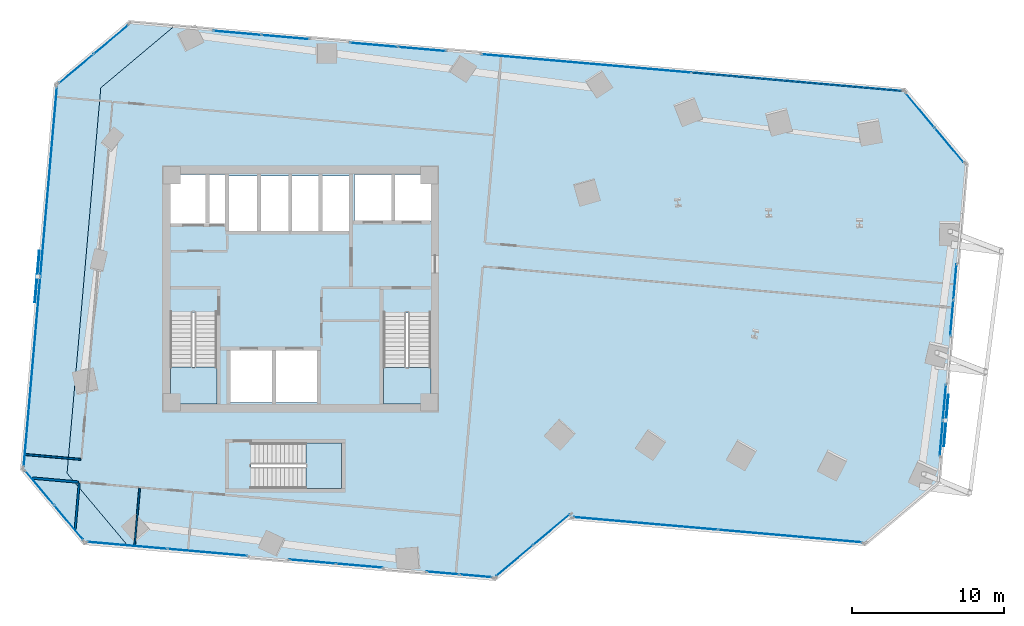
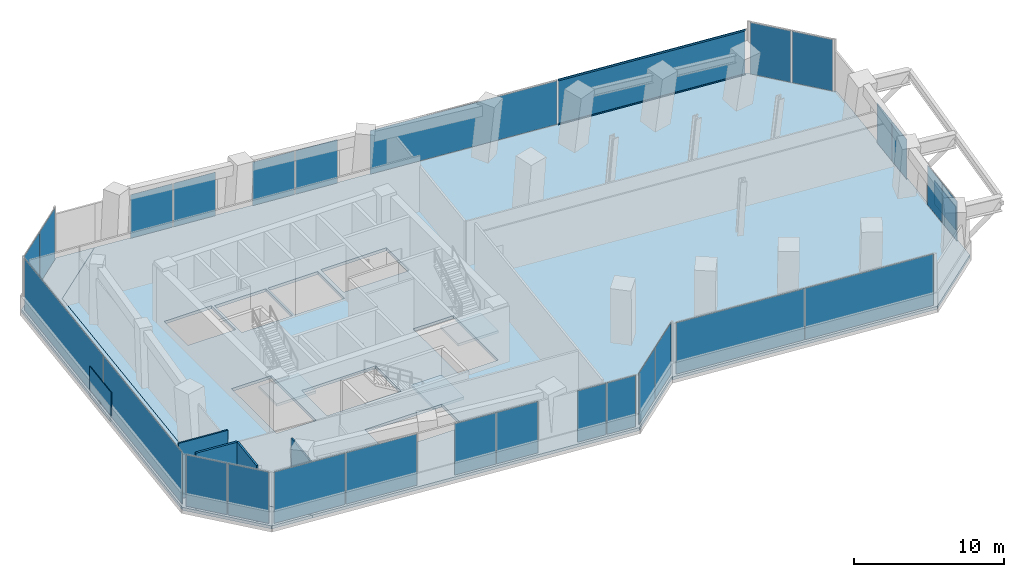
# One storey, part 18 of 23: 30 plates, 5 slabs, 4 walls, 2 members, 17 elements without a shape of their own.
"""IFC4 building model written with IfcOpenShell, lengths in metres."""

from ifc_helpers import new_model, si_unit, direction, frame, frame_2d, origin, origin_2d, place, context, subcontext, project, spatial, polyline, rectangle, hollow_rectangle, outline, extrude, source, transform, mapped, material, layer, layer_set, material_profile, profile_set, type_object, element, aggregate, save


model = new_model("IFC4")

# Units and contexts
model_context = context("Model", 3, precision=1e-05, world=origin(), true_north=direction((0.0, 1.0)))
body_context = subcontext(model_context, "Body", "Model", "MODEL_VIEW")
ifc_project = project(units=[si_unit("LENGTHUNIT", "METRE"), si_unit("AREAUNIT", "SQUARE_METRE"), si_unit("VOLUMEUNIT", "CUBIC_METRE"), si_unit("PLANEANGLEUNIT", "RADIAN"), si_unit("MASSUNIT", "GRAM", prefix="KILO")], contexts=[model_context])

# Site, building, storey
site_placement = place(None, origin())
site = spatial("IfcSite", under=ifc_project, at=site_placement, CompositionType="ELEMENT")
building_placement = place(site_placement, origin())
building = spatial("IfcBuilding", under=site, at=building_placement, Name="Torre Montelarca", CompositionType="ELEMENT")
storey_placement = place(building_placement, frame((0.0, 0.0, 56.800048828125)))
storey = spatial("IfcBuildingStorey", under=building, at=storey_placement, Name="L12", CompositionType="ELEMENT", Elevation=56.800048828125)

# Curtain wall, members
ifc_material_1 = material(Name="Insulated low-E laminated glass", Category="glass")
curtain_wall_type = type_object("IfcCurtainWallType", Name="CW-SYS-Z1", PredefinedType="USERDEFINED", material=ifc_material_1)
curtain_wall_1_placement = place(storey_placement, origin())
curtain_wall_1 = element("IfcCurtainWall", 1, at=curtain_wall_1_placement, inside=storey, type_object=curtain_wall_type, Name="L12 Curtain Wall Run CW-T3-L12-E08-B1", ObjectType="UNITISED GLAZING", PredefinedType="USERDEFINED")
ifc_material_2 = material(Name="Anodised aluminium AA 6063-T6", Category="aluminium")
ifc_material_profile = material_profile(ifc_material_2, hollow_rectangle(XDim=0.06494140625, YDim=0.139892578125, WallThickness=0.00390625, InnerFilletRadius=0.00390625, OuterFilletRadius=0.008056640625, at=origin_2d()), Name="ALU65X140X4", Category="aluminium")
ifc_profile_set = profile_set([ifc_material_profile], Name="Anodised aluminium AA 6063-T6")
member_type = type_object("IfcMemberType", Name="CWT-ALU140", PredefinedType="USERDEFINED", material=ifc_profile_set)
shared_shape_1 = source(origin(), body_context, "Body", "SweptSolid", [
    extrude(hollow_rectangle(XDim=0.06494140625, YDim=0.139892578125, WallThickness=0.00390625, InnerFilletRadius=0.00390625, OuterFilletRadius=0.008056640625, at=origin_2d()), origin(), (0.0, 0.0, 1.0), 13.7900390625),
])
member_1_placement = place(storey_placement, frame((57.437744140625, 44.987060546875, 0.032470703125), z_axis=(-0.996194543773, 0.087157506602, 0.0), x_axis=(-0.087157506602, -0.996194543773, 0.0)))
member_1 = element("IfcMember", 2, at=member_1_placement, type_object=member_type, Name="CW transom 1.1", ObjectType="TRANSOM", PredefinedType="USERDEFINED", context=body_context, shape_type="MappedRepresentation", body=[
    mapped(shared_shape_1, transform((0.0, 0.0, 0.0), scale=1.0)),
])
member_2_placement = place(storey_placement, frame((57.437744140625, 44.987060546875, 3.642333984375), z_axis=(-0.996194543773, 0.087157506602, 0.0), x_axis=(-0.087157506602, -0.996194543773, 0.0)))
member_2 = element("IfcMember", 3, at=member_2_placement, type_object=member_type, Name="CW transom 1.2", ObjectType="TRANSOM", PredefinedType="USERDEFINED", context=body_context, shape_type="MappedRepresentation", body=[
    mapped(shared_shape_1, transform((0.0, 0.0, 0.0), scale=1.0)),
])

# Slabs
ifc_material_3 = material(Name="Concrete C40/50", Category="concrete")
ifc_layer_1 = layer(ifc_material_3, 0.239990234375, Name="Concrete C40/50", Category="concrete")
ifc_layer_set_1 = layer_set([ifc_layer_1], Name="Concrete C40/50")
slab_type_1 = type_object("IfcSlabType", Name="SL-FLR-240", PredefinedType="FLOOR", material=ifc_layer_set_1)
slab_1_placement = place(storey_placement, frame((0.0, 0.0, -0.239990234375)))
element("IfcSlab", 4, at=slab_1_placement, inside=storey, type_object=slab_type_1, Name="L12 Structural Floor Slab", PredefinedType="FLOOR", context=body_context, shape_type="SweptSolid", body=[
    extrude(outline(polyline([(30.772216796875, 12.919189453125), (35.6474609375, 17.010009765625), (35.638671875, 16.910400390625), (55.064453125, 15.210693359375), (59.939453125, 19.301513671875), (61.769775390625, 40.221435546875), (57.67919921875, 45.0966796875), (9.76220703125, 49.288818359375), (4.88720703125, 45.197998046875), (2.67333984375, 19.894775390625), (6.763916015625, 15.019775390625), (30.772216796875, 12.919189453125)]), holes=[polyline([(20.699951171875, 18.89990234375), (14.760009765625, 18.89990234375), (14.760009765625, 21.889892578125), (20.699951171875, 21.889892578125), (20.699951171875, 18.89990234375)]), polyline([(19.10009765625, 24.550048828125), (13.39990234375, 24.550048828125), (13.39990234375, 27.949951171875), (19.10009765625, 27.949951171875), (19.10009765625, 24.550048828125)]), polyline([(23.43994140625, 24.449951171875), (23.43994140625, 30.429931640625), (26.550048828125, 30.429931640625), (26.550048828125, 24.449951171875), (23.43994140625, 24.449951171875)]), polyline([(9.449951171875, 24.449951171875), (9.449951171875, 30.4599609375), (12.5, 30.4599609375), (12.5, 24.449951171875), (9.449951171875, 24.449951171875)]), polyline([(17.25, 35.800048828125), (13.300048828125, 35.800048828125), (13.300048828125, 39.39990234375), (17.25, 39.39990234375), (17.25, 35.800048828125)]), polyline([(21.25, 35.800048828125), (17.39990234375, 35.800048828125), (17.39990234375, 39.39990234375), (21.25, 39.39990234375), (21.25, 35.800048828125)]), polyline([(13.1201171875, 36.300048828125), (9.449951171875, 36.300048828125), (9.449951171875, 39.5), (13.1201171875, 39.5), (13.1201171875, 36.300048828125)]), polyline([(26.60009765625, 36.449951171875), (21.550048828125, 36.449951171875), (21.550048828125, 39.5), (26.60009765625, 39.5), (26.60009765625, 36.449951171875)])]), origin(), (0.0, 0.0, 1.0), 0.239990234375),
])
slab_2_placement = place(storey_placement, frame((0.0, 0.0, -0.239990234375)))
element("IfcSlab", 5, at=slab_2_placement, inside=storey, type_object=slab_type_1, Name="L12 Sliding Tray Winter Garden Floor Slab W1", PredefinedType="FLOOR", context=body_context, shape_type="SweptSolid", body=[
    extrude(outline(polyline([(6.763916015625, 15.019775390625), (2.67333984375, 19.894775390625), (4.88720703125, 45.197998046875), (9.76220703125, 49.288818359375), (6.773681640625, 49.55029296875), (1.8984375, 45.459716796875), (-0.315185546875, 20.15625), (3.775390625, 15.28125), (6.763916015625, 15.019775390625)])), origin(), (0.0, 0.0, 1.0), 0.239990234375),
])

# Stair, slab
stair_type_1 = type_object("IfcStairType", Name="ST-CORE-ST1", PredefinedType="HALF_TURN_STAIR", material=ifc_material_3)
stair_1_placement = place(storey_placement, origin())
stair_1 = element("IfcStair", 6, at=stair_1_placement, inside=storey, type_object=stair_type_1, Name="L12 Protected Exit Stair ST1", PredefinedType="HALF_TURN_STAIR")
ifc_layer_2 = layer(ifc_material_3, 0.199951171875, Name="Concrete C40/50", Category="concrete")
ifc_layer_set_2 = layer_set([ifc_layer_2], Name="Concrete C40/50")
slab_type_2 = type_object("IfcSlabType", Name="SL-ST-LAND-ST1", PredefinedType="LANDING", material=ifc_layer_set_2)
slab_3_placement = place(storey_placement, frame((0.0, 0.0, 2.199951171875)))
slab_3 = element("IfcSlab", 7, at=slab_3_placement, type_object=slab_type_2, Name="ST1 landing 1", PredefinedType="LANDING", context=body_context, shape_type="SweptSolid", body=[
    extrude(outline(polyline([(9.449951171875, 26.860107421875), (9.449951171875, 24.449951171875), (12.5, 24.449951171875), (12.5, 26.860107421875), (9.449951171875, 26.860107421875)])), origin(), (0.0, 0.0, 1.0), 0.199951171875),
])
aggregate(stair_1, [slab_3])

stair_type_2 = type_object("IfcStairType", Name="ST-CORE-ST2", PredefinedType="HALF_TURN_STAIR", material=ifc_material_3)
stair_2_placement = place(storey_placement, origin())
stair_2 = element("IfcStair", 8, at=stair_2_placement, inside=storey, type_object=stair_type_2, Name="L12 Protected Exit Stair ST2", PredefinedType="HALF_TURN_STAIR")
ifc_layer_3 = layer(ifc_material_3, 0.199951171875, Name="Concrete C40/50", Category="concrete")
ifc_layer_set_3 = layer_set([ifc_layer_3], Name="Concrete C40/50")
slab_type_3 = type_object("IfcSlabType", Name="SL-ST-LAND-ST2", PredefinedType="LANDING", material=ifc_layer_set_3)
slab_4_placement = place(storey_placement, frame((0.0, 0.0, 2.199951171875)))
slab_4 = element("IfcSlab", 9, at=slab_4_placement, type_object=slab_type_3, Name="ST2 landing 1", PredefinedType="LANDING", context=body_context, shape_type="SweptSolid", body=[
    extrude(outline(polyline([(23.43994140625, 26.830078125), (23.43994140625, 24.449951171875), (26.550048828125, 24.449951171875), (26.550048828125, 26.830078125), (23.43994140625, 26.830078125)])), origin(), (0.0, 0.0, 1.0), 0.199951171875),
])
aggregate(stair_2, [slab_4])

stair_type_3 = type_object("IfcStairType", Name="ST-CORE-ST3", PredefinedType="HALF_TURN_STAIR", material=ifc_material_3)
stair_3_placement = place(storey_placement, origin())
stair_3 = element("IfcStair", 10, at=stair_3_placement, inside=storey, type_object=stair_type_3, Name="L12 Low-Rise Exit Stair ST3", PredefinedType="HALF_TURN_STAIR")
ifc_layer_4 = layer(ifc_material_3, 0.199951171875, Name="Concrete C40/50", Category="concrete")
ifc_layer_set_4 = layer_set([ifc_layer_4], Name="Concrete C40/50")
slab_type_4 = type_object("IfcSlabType", Name="SL-ST-LAND-ST3", PredefinedType="LANDING", material=ifc_layer_set_4)
slab_5_placement = place(storey_placement, frame((0.0, 0.0, 2.199951171875)))
slab_5 = element("IfcSlab", 11, at=slab_5_placement, type_object=slab_type_4, Name="ST3 landing 1", PredefinedType="LANDING", context=body_context, shape_type="SweptSolid", body=[
    extrude(outline(polyline([(18.360107421875, 18.89990234375), (20.699951171875, 18.89990234375), (20.699951171875, 21.889892578125), (18.360107421875, 21.889892578125), (18.360107421875, 18.89990234375)])), origin(), (0.0, 0.0, 1.0), 0.199951171875),
])
aggregate(stair_3, [slab_5])

# Curtain wall, plates
curtain_wall_2_placement = place(storey_placement, origin())
curtain_wall_2 = element("IfcCurtainWall", 12, at=curtain_wall_2_placement, inside=storey, type_object=curtain_wall_type, Name="L12 Curtain Wall Run CW-T3-L12-E07-B1", ObjectType="UNITISED GLAZING", PredefinedType="USERDEFINED")
ifc_layer_5 = layer(ifc_material_1, 0.028076171875, Name="Insulated low-E laminated glass", Category="glass")
ifc_layer_set_5 = layer_set([ifc_layer_5], Name="Insulated low-E laminated glass")
plate_type_1 = type_object("IfcPlateType", Name="CWP-GLZ-28", PredefinedType="CURTAIN_PANEL", material=ifc_layer_set_5)
shared_shape_2 = source(origin(), body_context, "Body", "SweptSolid", [
    extrude(rectangle(XDim=2.918701171875, YDim=0.028076171875, at=origin_2d()), origin(), (0.0, 0.0, 1.0), 4.18994140625),
])
plate_1_placement = place(storey_placement, frame((60.583740234375, 41.4326171875, 0.06494140625), z_axis=(0.0, 0.0, 1.0), x_axis=(-0.642789614074, 0.766042761233, 0.0)))
plate_1 = element("IfcPlate", 13, at=plate_1_placement, type_object=plate_type_1, Name="CW panel 1.1", PredefinedType="CURTAIN_PANEL", context=body_context, shape_type="MappedRepresentation", body=[
    mapped(shared_shape_2, transform((0.0, 0.0, 0.0), scale=1.0)),
])
plate_2_placement = place(storey_placement, frame((58.666015625, 43.71826171875, 0.06494140625), z_axis=(0.0, 0.0, 1.0), x_axis=(-0.642789614074, 0.766042761233, 0.0)))
plate_2 = element("IfcPlate", 14, at=plate_2_placement, type_object=plate_type_1, Name="CW panel 2.1", PredefinedType="CURTAIN_PANEL", context=body_context, shape_type="MappedRepresentation", body=[
    mapped(shared_shape_2, transform((0.0, 0.0, 0.0), scale=1.0)),
])
aggregate(curtain_wall_2, [plate_1, plate_2])

curtain_wall_3_placement = place(storey_placement, origin())
curtain_wall_3 = element("IfcCurtainWall", 15, at=curtain_wall_3_placement, inside=storey, type_object=curtain_wall_type, Name="L12 Curtain Wall Run CW-T3-L12-E09-B1", ObjectType="UNITISED GLAZING", PredefinedType="USERDEFINED")
plate_3_placement = place(storey_placement, frame((5.5625, 48.3642578125, 0.06494140625), z_axis=(0.0, 0.0, 1.0), x_axis=(-0.766042761233, -0.642789614074, 0.0)))
plate_3 = element("IfcPlate", 16, at=plate_3_placement, type_object=plate_type_1, Name="CW panel 1.1", PredefinedType="CURTAIN_PANEL", context=body_context, shape_type="MappedRepresentation", body=[
    mapped(shared_shape_2, transform((0.0, 0.0, 0.0), scale=1.0)),
])
plate_4_placement = place(storey_placement, frame((3.27685546875, 46.446533203125, 0.06494140625), z_axis=(0.0, 0.0, 1.0), x_axis=(-0.766042761233, -0.642789614074, 0.0)))
plate_4 = element("IfcPlate", 17, at=plate_4_placement, type_object=plate_type_1, Name="CW panel 2.1", PredefinedType="CURTAIN_PANEL", context=body_context, shape_type="MappedRepresentation", body=[
    mapped(shared_shape_2, transform((0.0, 0.0, 0.0), scale=1.0)),
])
aggregate(curtain_wall_3, [plate_3, plate_4])

curtain_wall_4_placement = place(storey_placement, origin())
curtain_wall_4 = element("IfcCurtainWall", 18, at=curtain_wall_4_placement, inside=storey, type_object=curtain_wall_type, Name="L12 Curtain Wall Run CW-T3-L12-E11-B1", ObjectType="UNITISED GLAZING", PredefinedType="USERDEFINED")
plate_5_placement = place(storey_placement, frame((0.87060546875, 18.945068359375, 0.06494140625), z_axis=(0.0, 0.0, 1.0), x_axis=(0.642789614074, -0.766042761233, 0.0)))
plate_5 = element("IfcPlate", 19, at=plate_5_placement, type_object=plate_type_1, Name="CW panel 1.1", PredefinedType="CURTAIN_PANEL", context=body_context, shape_type="MappedRepresentation", body=[
    mapped(shared_shape_2, transform((0.0, 0.0, 0.0), scale=1.0)),
])
plate_6_placement = place(storey_placement, frame((2.78857421875, 16.659423828125, 0.06494140625), z_axis=(0.0, 0.0, 1.0), x_axis=(0.642789614074, -0.766042761233, 0.0)))
plate_6 = element("IfcPlate", 20, at=plate_6_placement, type_object=plate_type_1, Name="CW panel 2.1", PredefinedType="CURTAIN_PANEL", context=body_context, shape_type="MappedRepresentation", body=[
    mapped(shared_shape_2, transform((0.0, 0.0, 0.0), scale=1.0)),
])
aggregate(curtain_wall_4, [plate_5, plate_6])

curtain_wall_5_placement = place(storey_placement, origin())
curtain_wall_5 = element("IfcCurtainWall", 21, at=curtain_wall_5_placement, inside=storey, type_object=curtain_wall_type, Name="L12 Curtain Wall Run CW-T3-L12-E01-B2", ObjectType="UNITISED GLAZING", PredefinedType="USERDEFINED")
shared_shape_3 = source(origin(), body_context, "Body", "SweptSolid", [
    extrude(rectangle(XDim=3.04443359375, YDim=0.028076171875, at=origin_2d()), origin(), (0.0, 0.0, 1.0), 4.18994140625),
])
plate_7_placement = place(storey_placement, frame((18.7724609375, 14.099609375, 0.06494140625), z_axis=(0.0, 0.0, 1.0), x_axis=(0.996194287503, -0.087160435674, 0.0)))
plate_7 = element("IfcPlate", 22, at=plate_7_placement, type_object=plate_type_1, Name="CW panel 1.1", PredefinedType="CURTAIN_PANEL", context=body_context, shape_type="MappedRepresentation", body=[
    mapped(shared_shape_3, transform((0.0, 0.0, 0.0), scale=1.0)),
])
plate_8_placement = place(storey_placement, frame((21.869873046875, 13.82861328125, 0.06494140625), z_axis=(0.0, 0.0, 1.0), x_axis=(0.996194287503, -0.087160435674, 0.0)))
plate_8 = element("IfcPlate", 23, at=plate_8_placement, type_object=plate_type_1, Name="CW panel 2.1", PredefinedType="CURTAIN_PANEL", context=body_context, shape_type="MappedRepresentation", body=[
    mapped(shared_shape_3, transform((0.0, 0.0, 0.0), scale=1.0)),
])
aggregate(curtain_wall_5, [plate_7, plate_8])

curtain_wall_6_placement = place(storey_placement, origin())
curtain_wall_6 = element("IfcCurtainWall", 24, at=curtain_wall_6_placement, inside=storey, type_object=curtain_wall_type, Name="L12 Curtain Wall Run CW-T3-L12-E01-B3", ObjectType="UNITISED GLAZING", PredefinedType="USERDEFINED")
shared_shape_4 = source(origin(), body_context, "Body", "SweptSolid", [
    extrude(rectangle(XDim=2.105224609375, YDim=0.028076171875, at=origin_2d()), origin(), (0.0, 0.0, 1.0), 4.18994140625),
])
plate_9_placement = place(storey_placement, frame((27.343017578125, 13.349853515625, 0.06494140625), z_axis=(0.0, 0.0, 1.0), x_axis=(0.996194284135, -0.087160474168, 0.0)))
plate_9 = element("IfcPlate", 25, at=plate_9_placement, type_object=plate_type_1, Name="CW panel 1.1", PredefinedType="CURTAIN_PANEL", context=body_context, shape_type="MappedRepresentation", body=[
    mapped(shared_shape_4, transform((0.0, 0.0, 0.0), scale=1.0)),
])
plate_10_placement = place(storey_placement, frame((29.5048828125, 13.16064453125, 0.06494140625), z_axis=(0.0, 0.0, 1.0), x_axis=(0.996194284135, -0.087160474168, 0.0)))
plate_10 = element("IfcPlate", 26, at=plate_10_placement, type_object=plate_type_1, Name="CW panel 2.1", PredefinedType="CURTAIN_PANEL", context=body_context, shape_type="MappedRepresentation", body=[
    mapped(shared_shape_4, transform((0.0, 0.0, 0.0), scale=1.0)),
])
aggregate(curtain_wall_6, [plate_9, plate_10])

curtain_wall_7_placement = place(storey_placement, origin())
curtain_wall_7 = element("IfcCurtainWall", 27, at=curtain_wall_7_placement, inside=storey, type_object=curtain_wall_type, Name="L12 Curtain Wall Run CW-T3-L12-E08-B2", ObjectType="UNITISED GLAZING", PredefinedType="USERDEFINED")
shared_shape_5 = source(origin(), body_context, "Body", "SweptSolid", [
    extrude(rectangle(XDim=3.10498046875, YDim=0.028076171875, at=origin_2d()), origin(), (0.0, 0.0, 1.0), 3.544921875),
])
plate_11_placement = place(storey_placement, frame((25.970458984375, 47.740234375, 0.06494140625), z_axis=(0.0, 0.0, 1.0), x_axis=(-0.996193870014, 0.087165207204, 0.0)))
plate_11 = element("IfcPlate", 28, at=plate_11_placement, type_object=plate_type_1, Name="CW panel 1.1", PredefinedType="CURTAIN_PANEL", context=body_context, shape_type="MappedRepresentation", body=[
    mapped(shared_shape_5, transform((0.0, 0.0, 0.0), scale=1.0)),
])
plate_12_placement = place(storey_placement, frame((22.8125, 48.0166015625, 0.06494140625), z_axis=(0.0, 0.0, 1.0), x_axis=(-0.996193870014, 0.087165207204, 0.0)))
plate_12 = element("IfcPlate", 29, at=plate_12_placement, type_object=plate_type_1, Name="CW panel 2.1", PredefinedType="CURTAIN_PANEL", context=body_context, shape_type="MappedRepresentation", body=[
    mapped(shared_shape_5, transform((0.0, 0.0, 0.0), scale=1.0)),
])
aggregate(curtain_wall_7, [plate_11, plate_12])

curtain_wall_8_placement = place(storey_placement, origin())
curtain_wall_8 = element("IfcCurtainWall", 30, at=curtain_wall_8_placement, inside=storey, type_object=curtain_wall_type, Name="L12 Curtain Wall Run CW-T3-L12-E08-B3", ObjectType="UNITISED GLAZING", PredefinedType="USERDEFINED")
shared_shape_6 = source(origin(), body_context, "Body", "SweptSolid", [
    extrude(rectangle(XDim=3.101806640625, YDim=0.028076171875, at=origin_2d()), origin(), (0.0, 0.0, 1.0), 3.544921875),
])
plate_13_placement = place(storey_placement, frame((17.008544921875, 48.5244140625, 0.06494140625), z_axis=(0.0, 0.0, 1.0), x_axis=(-0.996194294245, 0.087160358615, 0.0)))
plate_13 = element("IfcPlate", 31, at=plate_13_placement, type_object=plate_type_1, Name="CW panel 1.1", PredefinedType="CURTAIN_PANEL", context=body_context, shape_type="MappedRepresentation", body=[
    mapped(shared_shape_6, transform((0.0, 0.0, 0.0), scale=1.0)),
])
plate_14_placement = place(storey_placement, frame((13.853759765625, 48.80029296875, 0.06494140625), z_axis=(0.0, 0.0, 1.0), x_axis=(-0.996194294245, 0.087160358615, 0.0)))
plate_14 = element("IfcPlate", 32, at=plate_14_placement, type_object=plate_type_1, Name="CW panel 2.1", PredefinedType="CURTAIN_PANEL", context=body_context, shape_type="MappedRepresentation", body=[
    mapped(shared_shape_6, transform((0.0, 0.0, 0.0), scale=1.0)),
])
aggregate(curtain_wall_8, [plate_13, plate_14])

curtain_wall_9_placement = place(storey_placement, origin())
curtain_wall_9 = element("IfcCurtainWall", 33, at=curtain_wall_9_placement, inside=storey, type_object=curtain_wall_type, Name="L12 Curtain Wall Run CW-T3-L12-E02-B1", ObjectType="UNITISED GLAZING", PredefinedType="USERDEFINED")
shared_shape_7 = source(origin(), body_context, "Body", "SweptSolid", [
    extrude(rectangle(XDim=3.102783203125, YDim=0.028076171875, at=origin_2d()), origin(), (0.0, 0.0, 1.0), 4.18994140625),
])
plate_15_placement = place(storey_placement, frame((32.053955078125, 14.16455078125, 0.06494140625), z_axis=(0.0, 0.0, 1.0), x_axis=(0.766052558945, 0.642777937498, 0.0)))
plate_15 = element("IfcPlate", 34, at=plate_15_placement, type_object=plate_type_1, Name="CW panel 1.1", PredefinedType="CURTAIN_PANEL", context=body_context, shape_type="MappedRepresentation", body=[
    mapped(shared_shape_7, transform((0.0, 0.0, 0.0), scale=1.0)),
])
plate_16_placement = place(storey_placement, frame((34.480712890625, 16.200439453125, 0.06494140625), z_axis=(0.0, 0.0, 1.0), x_axis=(0.766052558945, 0.642777937498, 0.0)))
plate_16 = element("IfcPlate", 35, at=plate_16_placement, type_object=plate_type_1, Name="CW panel 2.1", PredefinedType="CURTAIN_PANEL", context=body_context, shape_type="MappedRepresentation", body=[
    mapped(shared_shape_7, transform((0.0, 0.0, 0.0), scale=1.0)),
])
aggregate(curtain_wall_9, [plate_15, plate_16])

curtain_wall_10_placement = place(storey_placement, origin())
curtain_wall_10 = element("IfcCurtainWall", 36, at=curtain_wall_10_placement, inside=storey, type_object=curtain_wall_type, Name="L12 Curtain Wall Run CW-T3-L12-E04-B1", ObjectType="UNITISED GLAZING", PredefinedType="USERDEFINED")
shared_shape_8 = source(origin(), body_context, "Body", "SweptSolid", [
    extrude(rectangle(XDim=9.448486328125, YDim=0.028076171875, at=origin_2d()), origin(), (0.0, 0.0, 1.0), 4.18994140625),
])
plate_17_placement = place(storey_placement, frame((40.662109375, 16.601318359375, 0.06494140625), z_axis=(0.0, 0.0, 1.0), x_axis=(0.996194160936, -0.087161882244, 0.0)))
plate_17 = element("IfcPlate", 37, at=plate_17_placement, type_object=plate_type_1, Name="CW panel 1.1", PredefinedType="CURTAIN_PANEL", context=body_context, shape_type="MappedRepresentation", body=[
    mapped(shared_shape_8, transform((0.0, 0.0, 0.0), scale=1.0)),
])
plate_18_placement = place(storey_placement, frame((50.139404296875, 15.772216796875, 0.06494140625), z_axis=(0.0, 0.0, 1.0), x_axis=(0.996194160936, -0.087161882244, 0.0)))
plate_18 = element("IfcPlate", 38, at=plate_18_placement, type_object=plate_type_1, Name="CW panel 2.1", PredefinedType="CURTAIN_PANEL", context=body_context, shape_type="MappedRepresentation", body=[
    mapped(shared_shape_8, transform((0.0, 0.0, 0.0), scale=1.0)),
])
aggregate(curtain_wall_10, [plate_17, plate_18])

curtain_wall_11_placement = place(storey_placement, origin())
curtain_wall_11 = element("IfcCurtainWall", 39, at=curtain_wall_11_placement, inside=storey, type_object=curtain_wall_type, Name="L12 Curtain Wall Run CW-T3-L12-E10-B1", ObjectType="UNITISED GLAZING", PredefinedType="USERDEFINED")
shared_shape_9 = source(origin(), body_context, "Body", "SweptSolid", [
    extrude(rectangle(XDim=12.4365234375, YDim=0.028076171875, at=origin_2d()), origin(), (0.0, 0.0, 1.0), 4.18994140625),
])
plate_19_placement = place(storey_placement, frame((1.4658203125, 39.023681640625, 0.06494140625), z_axis=(0.0, 0.0, 1.0), x_axis=(-0.087162199711, -0.99619413316, 0.0)))
plate_19 = element("IfcPlate", 40, at=plate_19_placement, type_object=plate_type_1, Name="CW panel 1.1", PredefinedType="CURTAIN_PANEL", context=body_context, shape_type="MappedRepresentation", body=[
    mapped(shared_shape_9, transform((0.0, 0.0, 0.0), scale=1.0)),
])
plate_20_placement = place(storey_placement, frame((0.376220703125, 26.569580078125, 0.06494140625), z_axis=(0.0, 0.0, 1.0), x_axis=(-0.087162199711, -0.99619413316, 0.0)))
plate_20 = element("IfcPlate", 41, at=plate_20_placement, type_object=plate_type_1, Name="CW panel 2.1", PredefinedType="CURTAIN_PANEL", context=body_context, shape_type="MappedRepresentation", body=[
    mapped(shared_shape_9, transform((0.0, 0.0, 0.0), scale=1.0)),
])
aggregate(curtain_wall_11, [plate_19, plate_20])

curtain_wall_12_placement = place(storey_placement, origin())
curtain_wall_12 = element("IfcCurtainWall", 42, at=curtain_wall_12_placement, inside=storey, type_object=curtain_wall_type, Name="L12 Curtain Wall Run CW-T3-L12-E01-B1", ObjectType="UNITISED GLAZING", PredefinedType="USERDEFINED")
shared_shape_10 = source(origin(), body_context, "Body", "SweptSolid", [
    extrude(rectangle(XDim=5.231201171875, YDim=0.028076171875, at=origin_2d()), origin(), (0.0, 0.0, 1.0), 4.18994140625),
])
plate_21_placement = place(storey_placement, frame((6.622314453125, 15.16259765625, 0.06494140625), z_axis=(0.0, 0.0, 1.0), x_axis=(0.996194145257, -0.08716206145, 0.0)))
plate_21 = element("IfcPlate", 43, at=plate_21_placement, type_object=plate_type_1, Name="CW panel 1.1", PredefinedType="CURTAIN_PANEL", context=body_context, shape_type="MappedRepresentation", body=[
    mapped(shared_shape_10, transform((0.0, 0.0, 0.0), scale=1.0)),
])
plate_22_placement = place(storey_placement, frame((11.898193359375, 14.700927734375, 0.06494140625), z_axis=(0.0, 0.0, 1.0), x_axis=(0.996194145257, -0.08716206145, 0.0)))
plate_22 = element("IfcPlate", 44, at=plate_22_placement, type_object=plate_type_1, Name="CW panel 2.1", PredefinedType="CURTAIN_PANEL", context=body_context, shape_type="MappedRepresentation", body=[
    mapped(shared_shape_10, transform((0.0, 0.0, 0.0), scale=1.0)),
])
aggregate(curtain_wall_12, [plate_21, plate_22])

curtain_wall_13_placement = place(storey_placement, origin())
curtain_wall_13 = element("IfcCurtainWall", 45, at=curtain_wall_13_placement, inside=storey, type_object=curtain_wall_type, Name="L12 Curtain Wall Run CW-T3-L12-E06-B1", ObjectType="UNITISED GLAZING", PredefinedType="USERDEFINED")
shared_shape_11 = source(origin(), body_context, "Body", "SweptSolid", [
    extrude(rectangle(XDim=2.314208984375, YDim=0.028076171875, at=origin_2d()), origin(), (0.0, 0.0, 1.0), 3.2451171875),
])
plate_23_placement = place(storey_placement, frame((60.061767578125, 22.19091796875, 0.06494140625), z_axis=(0.0, 0.0, 1.0), x_axis=(0.087155634532, 0.996194707559, 0.0)))
plate_23 = element("IfcPlate", 46, at=plate_23_placement, type_object=plate_type_1, Name="CW panel 1.1", PredefinedType="CURTAIN_PANEL", context=body_context, shape_type="MappedRepresentation", body=[
    mapped(shared_shape_11, transform((0.0, 0.0, 0.0), scale=1.0)),
])
plate_24_placement = place(storey_placement, frame((60.269287109375, 24.561279296875, 0.06494140625), z_axis=(0.0, 0.0, 1.0), x_axis=(0.087155634532, 0.996194707559, 0.0)))
plate_24 = element("IfcPlate", 47, at=plate_24_placement, type_object=plate_type_1, Name="CW panel 2.1", PredefinedType="CURTAIN_PANEL", context=body_context, shape_type="MappedRepresentation", body=[
    mapped(shared_shape_11, transform((0.0, 0.0, 0.0), scale=1.0)),
])
aggregate(curtain_wall_13, [plate_23, plate_24])

curtain_wall_14_placement = place(storey_placement, origin())
curtain_wall_14 = element("IfcCurtainWall", 48, at=curtain_wall_14_placement, inside=storey, type_object=curtain_wall_type, Name="L12 Curtain Wall Run CW-T3-L12-E06-B2", ObjectType="UNITISED GLAZING", PredefinedType="USERDEFINED")
shared_shape_12 = source(origin(), body_context, "Body", "SweptSolid", [
    extrude(rectangle(XDim=2.3115234375, YDim=0.028076171875, at=origin_2d()), origin(), (0.0, 0.0, 1.0), 3.2451171875),
])
plate_25_placement = place(storey_placement, frame((60.752197265625, 30.08251953125, 0.06494140625), z_axis=(0.0, 0.0, 1.0), x_axis=(0.087174159591, 0.996193086655, 0.0)))
plate_25 = element("IfcPlate", 49, at=plate_25_placement, type_object=plate_type_1, Name="CW panel 1.1", PredefinedType="CURTAIN_PANEL", context=body_context, shape_type="MappedRepresentation", body=[
    mapped(shared_shape_12, transform((0.0, 0.0, 0.0), scale=1.0)),
])
plate_26_placement = place(storey_placement, frame((60.95947265625, 32.449951171875, 0.06494140625), z_axis=(0.0, 0.0, 1.0), x_axis=(0.087174159591, 0.996193086655, 0.0)))
plate_26 = element("IfcPlate", 50, at=plate_26_placement, type_object=plate_type_1, Name="CW panel 2.1", PredefinedType="CURTAIN_PANEL", context=body_context, shape_type="MappedRepresentation", body=[
    mapped(shared_shape_12, transform((0.0, 0.0, 0.0), scale=1.0)),
])
aggregate(curtain_wall_14, [plate_25, plate_26])

# Plate
shared_shape_13 = source(origin(), body_context, "Body", "SweptSolid", [
    extrude(rectangle(XDim=13.7900390625, YDim=0.028076171875, at=origin_2d()), origin(), (0.0, 0.0, 1.0), 3.544921875),
])
plate_27_placement = place(storey_placement, frame((50.569091796875, 45.588134765625, 0.06494140625), z_axis=(0.0, 0.0, 1.0), x_axis=(-0.996194514684, 0.087157839083, 0.0)))
plate_27 = element("IfcPlate", 51, at=plate_27_placement, type_object=plate_type_1, Name="CW panel 1.1", PredefinedType="CURTAIN_PANEL", context=body_context, shape_type="MappedRepresentation", body=[
    mapped(shared_shape_13, transform((0.0, 0.0, 0.0), scale=1.0)),
])

plate_28_placement = place(storey_placement, frame((36.766845703125, 46.795654296875, 0.06494140625), z_axis=(0.0, 0.0, 1.0), x_axis=(-0.996194514684, 0.087157839083, 0.0)))
plate_28 = element("IfcPlate", 52, at=plate_28_placement, type_object=plate_type_1, Name="CW panel 2.1", PredefinedType="CURTAIN_PANEL", context=body_context, shape_type="MappedRepresentation", body=[
    mapped(shared_shape_13, transform((0.0, 0.0, 0.0), scale=1.0)),
])

aggregate(curtain_wall_1, [member_1, member_2, plate_27, plate_28])

# Plates
ifc_material_4 = material(Name="Architectural perforated terracotta ceramic", Category="masonry")
ifc_layer_6 = layer(ifc_material_4, 0.06005859375, Name="Architectural perforated terracotta ceramic", Category="masonry")
ifc_layer_set_6 = layer_set([ifc_layer_6], Name="Architectural perforated terracotta ceramic")
plate_type_2 = type_object("IfcPlateType", Name="SCR-CER-60", PredefinedType="USERDEFINED", material=ifc_layer_set_6)
shared_shape_14 = source(origin(), body_context, "Body", "SweptSolid", [
    extrude(rectangle(XDim=3.39990234375, YDim=0.06005859375, at=origin_2d()), origin(), (0.0, 0.0, 1.0), 1.89990234375),
])
for number, where, z_axis, x_axis, name in (
    (53, (60.374755859375, 23.35791015625, 0.5), (0.0, 0.0, 1.0), (0.087157481435, 0.996194545975, 0.0), "L12 Perforated Ceramic Brise-Soleil Screen E6-1"),
    (54, (0.7119140625, 32.81494140625, 0.5), (0.0, 0.0, 1.0), (-0.087157481435, -0.996194545975, 0.0), "L12 Perforated Ceramic Brise-Soleil Screen E10-1"),
):
    element("IfcPlate", number, at=place(storey_placement, frame(where, z_axis=z_axis, x_axis=x_axis)), inside=storey, type_object=plate_type_2, Name=name, ObjectType="SOLAR SCREEN", PredefinedType="USERDEFINED", context=body_context, shape_type="MappedRepresentation", body=[
        mapped(shared_shape_14, transform((0.0, 0.0, 0.0), scale=1.0)),
    ])

# Walls
ifc_material_5 = material(Name="Gypsum plasterboard on steel stud", Category="steel")
ifc_layer_7 = layer(ifc_material_5, 0.159912109375, Name="Gypsum plasterboard on steel stud", Category="steel")
ifc_layer_set_7 = layer_set([ifc_layer_7], Name="Gypsum plasterboard on steel stud")
wall_type_1 = type_object("IfcWallType", Name="PW-FIRE-160", PredefinedType="PARTITIONING", material=ifc_layer_set_7)
wall_1_placement = place(storey_placement, frame((0.385498046875, 19.5830078125, 0.0), z_axis=(0.0, 0.0, 1.0), x_axis=(0.996195275171, -0.087149146451, 0.0)))
element("IfcWall", 55, at=wall_1_placement, inside=storey, type_object=wall_type_1, Name="L12 Interior Partition W-L12-SOCCW", PredefinedType="PARTITIONING", context=body_context, shape_type="SweptSolid", body=[
    extrude(rectangle(XDim=3.06201171875, YDim=0.159912109375, at=frame_2d((1.531005859375, 0.0))), origin(), (0.0, 0.0, 1.0), 4.56005859375),
])
ifc_material_6 = material(Name="Acoustic laminated glass partition", Category="glass")
ifc_layer_8 = layer(ifc_material_6, 0.10009765625, Name="Acoustic laminated glass partition", Category="glass")
ifc_layer_set_8 = layer_set([ifc_layer_8], Name="Acoustic laminated glass partition")
wall_type_2 = type_object("IfcWallType", Name="PW-GLAZ-100", PredefinedType="PARTITIONING", material=ifc_layer_set_8)
wall_2_placement = place(storey_placement, frame((7.1083984375, 15.170166015625, 0.0), z_axis=(0.0, 0.0, 1.0), x_axis=(0.087160523959, 0.996194279778, 0.0)))
element("IfcWall", 56, at=wall_2_placement, inside=storey, type_object=wall_type_2, Name="L12 Interior Partition W-L12-WCD", PredefinedType="PARTITIONING", context=body_context, shape_type="SweptSolid", body=[
    extrude(rectangle(XDim=3.770263671875, YDim=0.10009765625, at=frame_2d((1.88525390625, 0.0))), origin(), (0.0, 0.0, 1.0), 3.695068359375),
])
ifc_layer_9 = layer(ifc_material_5, 0.114990234375, Name="Gypsum plasterboard on steel stud", Category="steel")
ifc_layer_set_9 = layer_set([ifc_layer_9], Name="Gypsum plasterboard on steel stud")
wall_type_3 = type_object("IfcWallType", Name="PW-PART-115", PredefinedType="PARTITIONING", material=ifc_layer_set_9)
wall_3_placement = place(storey_placement, frame((-0.0498046875, 21.126708984375, 0.0), z_axis=(0.0, 0.0, 1.0), x_axis=(0.996194520424, -0.087157773474, 0.0)))
element("IfcWall", 57, at=wall_3_placement, inside=storey, type_object=wall_type_3, Name="L12 Interior Partition W-L12-WWGS", PredefinedType="PARTITIONING", context=body_context, shape_type="SweptSolid", body=[
    extrude(rectangle(XDim=3.63037109375, YDim=0.114990234375, at=frame_2d((1.815185546875, 0.0))), origin(), (0.0, 0.0, 1.0), 4.56005859375),
])
ifc_layer_10 = layer(ifc_material_5, 0.135009765625, Name="Gypsum plasterboard on steel stud", Category="steel")
ifc_layer_set_10 = layer_set([ifc_layer_10], Name="Gypsum plasterboard on steel stud")
wall_type_4 = type_object("IfcWallType", Name="PW-PART-135", PredefinedType="PARTITIONING", material=ifc_layer_set_10)
wall_4_placement = place(storey_placement, frame((3.205322265625, 16.222412109375, 0.0), z_axis=(0.0, 0.0, 1.0), x_axis=(0.087149146451, 0.996195275171, 0.0)))
element("IfcWall", 58, at=wall_4_placement, inside=storey, type_object=wall_type_4, Name="L12 Interior Partition W-L12-WCW", PredefinedType="PARTITIONING", context=body_context, shape_type="SweptSolid", body=[
    extrude(rectangle(XDim=3.06201171875, YDim=0.135009765625, at=frame_2d((1.531005859375, 0.0))), origin(), (0.0, 0.0, 1.0), 4.56005859375),
])

save(model, "model.ifc")
